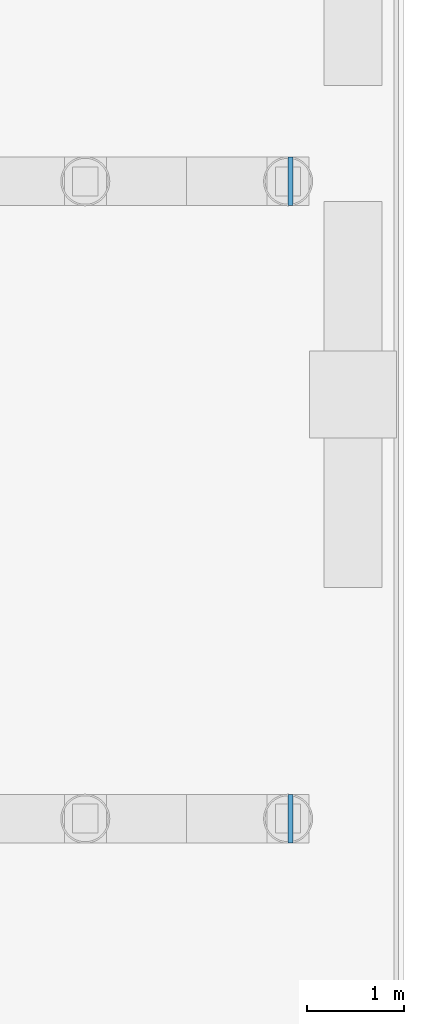
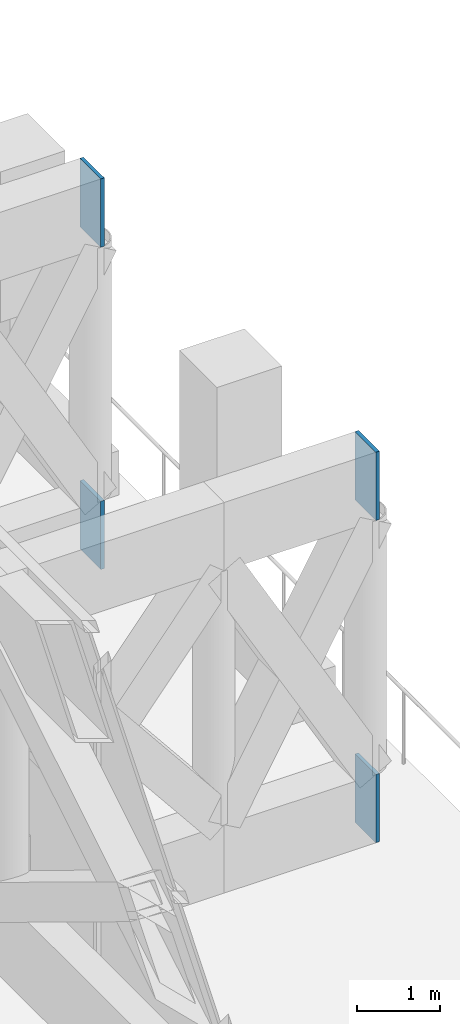
# One storey, part 15 of 25: 4 plates.
"""IFC4 building model written with IfcOpenShell, lengths in metres."""

from ifc_helpers import new_model, si_unit, direction, frame, origin, origin_2d, place, context, subcontext, project, spatial, rectangle, extrude, material, layer, layer_set, type_object, element, save


model = new_model("IFC4")

# Units and contexts
model_context = context("Model", 3, precision=1e-05, world=origin(), true_north=direction((0.0, 1.0)))
body_context = subcontext(model_context, "Body", "Model", "MODEL_VIEW")
ifc_project = project(units=[si_unit("LENGTHUNIT", "METRE"), si_unit("AREAUNIT", "SQUARE_METRE"), si_unit("VOLUMEUNIT", "CUBIC_METRE"), si_unit("PLANEANGLEUNIT", "RADIAN"), si_unit("MASSUNIT", "GRAM", prefix="KILO")], contexts=[model_context])

# Site, building, storey
site_placement = place(None, origin())
site = spatial("IfcSite", under=ifc_project, at=site_placement, CompositionType="ELEMENT")
building_placement = place(site_placement, origin())
building = spatial("IfcBuilding", under=site, at=building_placement, Name="Torana Hotel and Residences", CompositionType="ELEMENT")
storey_placement = place(building_placement, frame((0.0, 0.0, 106.800048828125)))
storey = spatial("IfcBuildingStorey", under=building, at=storey_placement, Name="L27", CompositionType="ELEMENT", Elevation=106.800048828125)

# Plates
ifc_material = material(Name="Steel S355", Category="steel")
ifc_layer = layer(ifc_material, 0.050048828125)
ifc_layer_set = layer_set([ifc_layer], Name="STEEL END PLATE 50")
plate_type = type_object("IfcPlateType", Name="STEEL END PLATE 50", PredefinedType="SHEET", material=ifc_layer_set)
for number, where, z_axis, x_axis, name in (
    (1, (32.125, -21.60009765625, 0.0), (0.0, 0.0, 1.0), (1.0, 0.0, 0.0), "End plate L27"),
    (2, (32.125, -21.60009765625, 4.719970703125), (0.0, 0.0, 1.0), (1.0, 0.0, 0.0), "End plate L27"),
    (3, (32.125, -15.0, 0.0), (0.0, 0.0, 1.0), (1.0, 0.0, 0.0), "End plate L27"),
    (4, (32.125, -15.0, 4.719970703125), (0.0, 0.0, 1.0), (1.0, 0.0, 0.0), "End plate L27"),
):
    element("IfcPlate", number, at=place(storey_placement, frame(where, z_axis=z_axis, x_axis=x_axis)), inside=storey, type_object=plate_type, Name=name, PredefinedType="SHEET", context=body_context, shape_type="SweptSolid", body=[
        extrude(rectangle(XDim=0.050048828125, YDim=0.5, at=origin_2d()), origin(), (0.0, 0.0, 1.0), 1.0),
    ])

save(model, "model.ifc")
